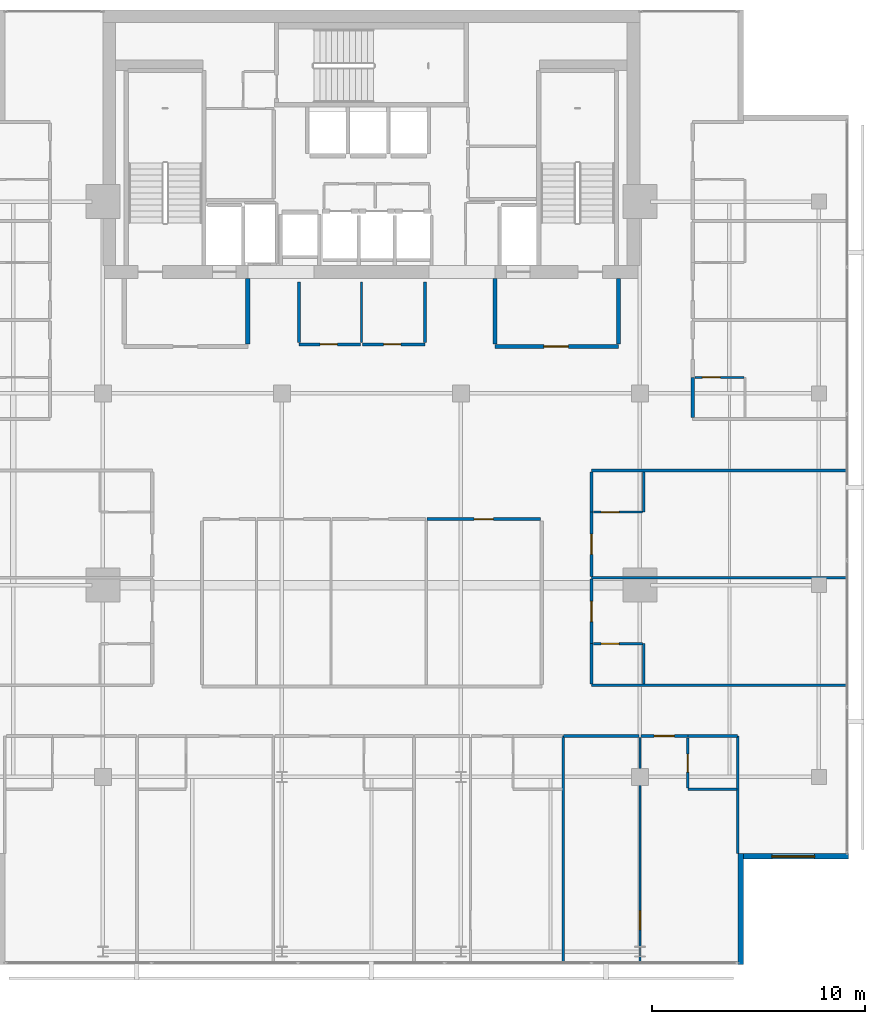
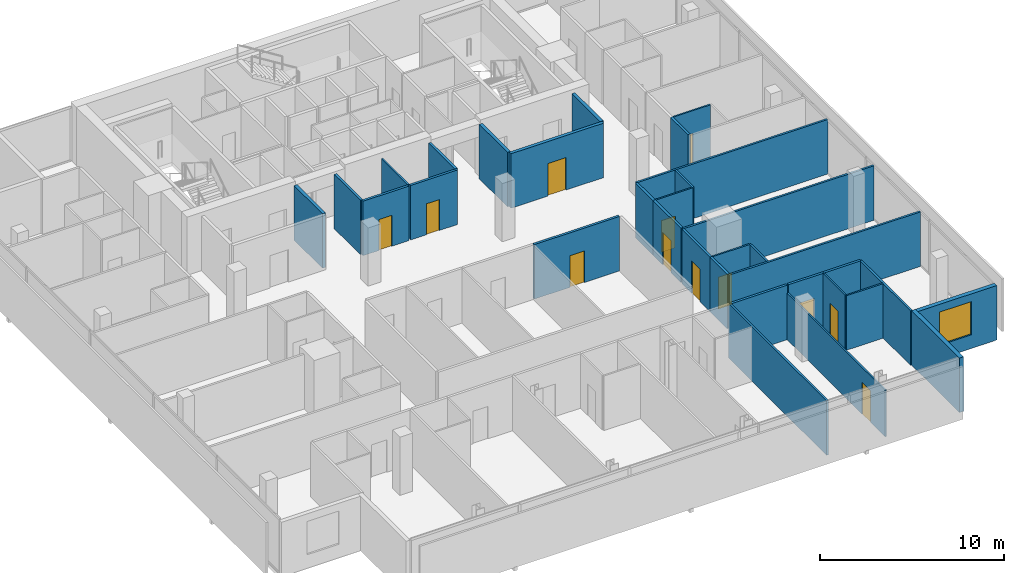
# One storey, part 21 of 26: 33 walls, 12 doors, 1 window, 13 openings.
"""IFC4 building model written with IfcOpenShell, lengths in metres."""

from ifc_helpers import new_model, si_unit, direction, frame, frame_2d, origin, place, context, subcontext, project, spatial, rectangle, extrude, material, layer, layer_set, type_object, element, fill, save


model = new_model("IFC4")

# Units and contexts
model_context = context("Model", 3, precision=1e-05, world=origin(), true_north=direction((0.0, 1.0)))
body_context = subcontext(model_context, "Body", "Model", "MODEL_VIEW")
ifc_project = project(units=[si_unit("LENGTHUNIT", "METRE"), si_unit("AREAUNIT", "SQUARE_METRE"), si_unit("VOLUMEUNIT", "CUBIC_METRE"), si_unit("PLANEANGLEUNIT", "RADIAN"), si_unit("MASSUNIT", "GRAM", prefix="KILO")], contexts=[model_context])

# Site, building, storey
site_placement = place(None, origin())
site = spatial("IfcSite", under=ifc_project, at=site_placement, CompositionType="ELEMENT")
building_placement = place(site_placement, origin())
building = spatial("IfcBuilding", under=site, at=building_placement, Name="Maruvema Waterfront Hotel and Observation Tower", CompositionType="ELEMENT")
storey_placement = place(building_placement, frame((0.0, 0.0, 289.449951171875)))
storey = spatial("IfcBuildingStorey", under=building, at=storey_placement, Name="L71", CompositionType="ELEMENT", Elevation=289.449951171875)

# Wall, opening, door
ifc_material_1 = material(Name="Twin-stud acoustic gypsum drywall", Category="gypsum")
ifc_layer_1 = layer(ifc_material_1, 0.14990234375, Name="Acoustic Corridor and Suite Demising Wall 150 mm")
ifc_layer_set_1 = layer_set([ifc_layer_1], Name="Twin-stud acoustic gypsum drywall")
wall_type_1 = type_object("IfcWallType", Name="Acoustic Corridor and Suite Demising Wall 150 mm", PredefinedType="PARTITIONING", material=ifc_layer_set_1)
wall_1_placement = place(storey_placement, frame((34.39990234375, 38.300048828125, 0.0), z_axis=(0.0, 0.0, 1.0), x_axis=(1.0, 0.0, 0.0)))
wall_1 = element("IfcWall", 1, at=wall_1_placement, inside=storey, type_object=wall_type_1, Name="L71 Core Apron K2A South 026", PredefinedType="PARTITIONING", context=body_context, shape_type="SweptSolid", body=[
    extrude(rectangle(XDim=2.880126953125, YDim=0.14990234375, at=frame_2d((1.43994140625, 0.0))), origin(), (0.0, 0.0, 1.0), 3.610107421875),
])
opening_1_placement = place(wall_1_placement, frame((1.0, 0.0, 0.0)))
opening_1 = element("IfcOpeningElement", 2, at=opening_1_placement, cuts=wall_1, Name="Opening DR-080", PredefinedType="OPENING", context=body_context, shape_type="SweptSolid", body=[
    extrude(rectangle(XDim=0.800048828125, YDim=2.050048828125, at=frame_2d((0.39990234375, 1.02490234375))), frame((0.0, 0.0849609375, 0.0), z_axis=(0.0, -1.0, 0.0), x_axis=(1.0, 0.0, 0.0)), (0.0, 0.0, 1.0), 0.169921875),
])
ifc_material_2 = material(Name="Powder-coated steel access leaf", Category="steel")
door_type_1 = type_object("IfcDoorType", Name="Riser and Service Cupboard Door 800x2050 mm", OperationType="NOTDEFINED", PredefinedType="DOOR", material=ifc_material_2)
door_1_placement = place(opening_1_placement, frame((0.800048828125, 0.0, 0.0), z_axis=(0.0, 0.0, 1.0), x_axis=(-1.0, 0.0, 0.0)))
door_1 = element("IfcDoor", 3, at=door_1_placement, inside=storey, type_object=door_type_1, Name="L71 Core Ice Alcove Door", OperationType="SINGLE_SWING_RIGHT", OverallHeight=2.050048828125, OverallWidth=0.800048828125, PredefinedType="DOOR", context=body_context, shape_type="SweptSolid", body=[
    extrude(rectangle(XDim=0.800048828125, YDim=2.050048828125, at=frame_2d((0.39990234375, 1.02490234375))), frame((0.0, 0.02490234375, 0.0), z_axis=(0.0, -1.0, 0.0), x_axis=(1.0, 0.0, 0.0)), (0.0, 0.0, 1.0), 0.050048828125),
])
fill(opening_1, door_1)

wall_2_placement = place(storey_placement, frame((37.3798828125, 38.300048828125, 0.0), z_axis=(0.0, 0.0, 1.0), x_axis=(1.0, 0.0, 0.0)))
wall_2 = element("IfcWall", 4, at=wall_2_placement, inside=storey, type_object=wall_type_1, Name="L71 Core Apron K2B South 027", PredefinedType="PARTITIONING", context=body_context, shape_type="SweptSolid", body=[
    extrude(rectangle(XDim=2.940185546875, YDim=0.14990234375, at=frame_2d((1.47021484375, 0.0))), origin(), (0.0, 0.0, 1.0), 3.610107421875),
])
opening_2_placement = place(wall_2_placement, frame((1.0, 0.0, 0.0)))
opening_2 = element("IfcOpeningElement", 5, at=opening_2_placement, cuts=wall_2, Name="Opening DR-080", PredefinedType="OPENING", context=body_context, shape_type="SweptSolid", body=[
    extrude(rectangle(XDim=0.800048828125, YDim=2.050048828125, at=frame_2d((0.39990234375, 1.02490234375))), frame((0.0, 0.0849609375, 0.0), z_axis=(0.0, -1.0, 0.0), x_axis=(1.0, 0.0, 0.0)), (0.0, 0.0, 1.0), 0.169921875),
])
door_2_placement = place(opening_2_placement, frame((0.800048828125, 0.0, 0.0), z_axis=(0.0, 0.0, 1.0), x_axis=(-1.0, 0.0, 0.0)))
door_2 = element("IfcDoor", 6, at=door_2_placement, inside=storey, type_object=door_type_1, Name="L71 Core Valet Closet Door", OperationType="SINGLE_SWING_LEFT", OverallHeight=2.050048828125, OverallWidth=0.800048828125, PredefinedType="DOOR", context=body_context, shape_type="SweptSolid", body=[
    extrude(rectangle(XDim=0.800048828125, YDim=2.050048828125, at=frame_2d((0.39990234375, 1.02490234375))), frame((0.0, 0.02490234375, 0.0), z_axis=(0.0, -1.0, 0.0), x_axis=(1.0, 0.0, 0.0)), (0.0, 0.0, 1.0), 0.050048828125),
])
fill(opening_2, door_2)

# Walls
for number, where, z_axis, x_axis, name in (
    (7, (34.39990234375, 38.3798828125, 0.0), (0.0, 0.0, 1.0), (0.0, 1.0, 0.0), "L71 Core Apron K2 West 028"),
    (8, (40.320068359375, 38.3798828125, 0.0), (0.0, 0.0, 1.0), (0.0, 1.0, 0.0), "L71 Core Apron K2 East 030"),
):
    element("IfcWall", number, at=place(storey_placement, frame(where, z_axis=z_axis, x_axis=x_axis)), inside=storey, type_object=wall_type_1, Name=name, PredefinedType="PARTITIONING", context=body_context, shape_type="SweptSolid", body=[
        extrude(rectangle(XDim=2.840087890625, YDim=0.14990234375, at=frame_2d((1.419921875, 0.0))), origin(), (0.0, 0.0, 1.0), 3.610107421875),
    ])

# Wall, opening, door
wall_3_placement = place(storey_placement, frame((40.406982421875, 30.10009765625, 0.0), z_axis=(0.0, 0.0, 1.0), x_axis=(1.0, 0.0, 0.0)))
wall_3 = element("IfcWall", 9, at=wall_3_placement, inside=storey, type_object=wall_type_1, Name="L71 L71-Z3M Front 4 040", PredefinedType="PARTITIONING", context=body_context, shape_type="SweptSolid", body=[
    extrude(rectangle(XDim=5.3330078125, YDim=0.14990234375, at=frame_2d((2.66650390625, 0.0))), origin(), (0.0, 0.0, 1.0), 3.610107421875),
])
opening_3_placement = place(wall_3_placement, frame((2.216552734375, 0.0, 0.0)))
opening_3 = element("IfcOpeningElement", 10, at=opening_3_placement, cuts=wall_3, Name="Opening DR-090", PredefinedType="OPENING", context=body_context, shape_type="SweptSolid", body=[
    extrude(rectangle(XDim=0.89990234375, YDim=2.10009765625, at=frame_2d((0.449951171875, 1.050048828125))), frame((0.0, 0.0849609375, 0.0), z_axis=(0.0, -1.0, 0.0), x_axis=(1.0, 0.0, 0.0)), (0.0, 0.0, 1.0), 0.169921875),
])
ifc_material_3 = material(Name="Solid-core lacquered timber leaf", Category="wood")
door_type_2 = type_object("IfcDoorType", Name="Accessible Toilet and Room Door 900x2100 mm", OperationType="NOTDEFINED", PredefinedType="DOOR", material=ifc_material_3)
door_3_placement = place(opening_3_placement, origin())
door_3 = element("IfcDoor", 11, at=door_3_placement, inside=storey, type_object=door_type_2, Name="L71 Refreshment Kitchen Door", OperationType="SINGLE_SWING_LEFT", OverallHeight=2.10009765625, OverallWidth=0.89990234375, PredefinedType="DOOR", context=body_context, shape_type="SweptSolid", body=[
    extrude(rectangle(XDim=0.89990234375, YDim=2.10009765625, at=frame_2d((0.449951171875, 1.050048828125))), frame((0.0, 0.02490234375, 0.0), z_axis=(0.0, -1.0, 0.0), x_axis=(1.0, 0.0, 0.0)), (0.0, 0.0, 1.0), 0.050048828125),
])
fill(opening_3, door_3)

# Walls
wall_4_placement = place(storey_placement, frame((52.64990234375, 19.919921875, 0.0), z_axis=(0.0, 0.0, 1.0), x_axis=(1.0, 0.0, 0.0)))
element("IfcWall", 12, at=wall_4_placement, inside=storey, type_object=wall_type_1, Name="L71 Bath L71-S5 Back Wall 065", PredefinedType="PARTITIONING", context=body_context, shape_type="SweptSolid", body=[
    extrude(rectangle(XDim=2.330078125, YDim=0.14990234375, at=frame_2d((1.1650390625, 0.0))), origin(), (0.0, 0.0, 1.0), 3.610107421875),
])
wall_5_placement = place(storey_placement, frame((46.820068359375, 19.919921875, 0.0), z_axis=(0.0, 0.0, 1.0), x_axis=(1.0, 0.0, 0.0)))
element("IfcWall", 13, at=wall_5_placement, inside=storey, type_object=wall_type_1, Name="L71 Bedroom L71-S5 Back Wall 068", PredefinedType="PARTITIONING", context=body_context, shape_type="SweptSolid", body=[
    extrude(rectangle(XDim=3.5478515625, YDim=0.14990234375, at=frame_2d((1.77392578125, 0.0))), origin(), (0.0, 0.0, 1.0), 3.610107421875),
])

# Wall, opening, door
wall_6_placement = place(storey_placement, frame((50.447998046875, 19.919921875, 0.0), z_axis=(0.0, 0.0, 1.0), x_axis=(1.0, 0.0, 0.0)))
wall_6 = element("IfcWall", 14, at=wall_6_placement, inside=storey, type_object=wall_type_1, Name="L71 Unit L71-S5 Corridor Wall 069", PredefinedType="PARTITIONING", context=body_context, shape_type="SweptSolid", body=[
    extrude(rectangle(XDim=2.201904296875, YDim=0.14990234375, at=frame_2d((1.10107421875, 0.0))), origin(), (0.0, 0.0, 1.0), 3.610107421875),
])
opening_4_placement = place(wall_6_placement, frame((0.6259765625, 0.0, 0.0)))
opening_4 = element("IfcOpeningElement", 15, at=opening_4_placement, cuts=wall_6, Name="Opening DR-095", PredefinedType="OPENING", context=body_context, shape_type="SweptSolid", body=[
    extrude(rectangle(XDim=0.949951171875, YDim=2.14990234375, at=frame_2d((0.47509765625, 1.074951171875))), frame((0.0, 0.0849609375, 0.0), z_axis=(0.0, -1.0, 0.0), x_axis=(1.0, 0.0, 0.0)), (0.0, 0.0, 1.0), 0.169921875),
])
ifc_material_4 = material(Name="Acoustic solid-core hardwood timber leaf", Category="wood")
door_type_3 = type_object("IfcDoorType", Name="Guestroom Entrance Fire Door 950x2150 mm", OperationType="NOTDEFINED", PredefinedType="DOOR", material=ifc_material_4)
door_4_placement = place(opening_4_placement, frame((0.949951171875, 0.0, 0.0), z_axis=(0.0, 0.0, 1.0), x_axis=(-1.0, 0.0, 0.0)))
door_4 = element("IfcDoor", 16, at=door_4_placement, inside=storey, type_object=door_type_3, Name="L71 Unit L71-S5 Entrance Door", OperationType="SINGLE_SWING_RIGHT", OverallHeight=2.14990234375, OverallWidth=0.949951171875, PredefinedType="DOOR", context=body_context, shape_type="SweptSolid", body=[
    extrude(rectangle(XDim=0.949951171875, YDim=2.14990234375, at=frame_2d((0.47509765625, 1.074951171875))), frame((0.0, 0.02490234375, 0.0), z_axis=(0.0, -1.0, 0.0), x_axis=(1.0, 0.0, 0.0)), (0.0, 0.0, 1.0), 0.050048828125),
])
fill(opening_4, door_4)

# Wall
wall_7_placement = place(storey_placement, frame((48.1298828125, 22.360107421875, 0.0), z_axis=(0.0, 0.0, 1.0), x_axis=(0.0, 1.0, 0.0)))
element("IfcWall", 17, at=wall_7_placement, inside=storey, type_object=wall_type_1, Name="L71 Bath L71-E1 Wall 079", PredefinedType="PARTITIONING", context=body_context, shape_type="SweptSolid", body=[
    extrude(rectangle(XDim=1.889892578125, YDim=0.14990234375, at=frame_2d((0.94482421875, 0.0))), origin(), (0.0, 0.0, 1.0), 3.610107421875),
])

# Wall, opening, door
wall_8_placement = place(storey_placement, frame((48.1298828125, 24.25, 0.0), z_axis=(0.0, 0.0, 1.0), x_axis=(0.0, 1.0, 0.0)))
wall_8 = element("IfcWall", 18, at=wall_8_placement, inside=storey, type_object=wall_type_1, Name="L71 Room L71-E1 Corridor Wall 080", PredefinedType="PARTITIONING", context=body_context, shape_type="SweptSolid", body=[
    extrude(rectangle(XDim=3.030029296875, YDim=0.14990234375, at=frame_2d((1.51513671875, 0.0))), origin(), (0.0, 0.0, 1.0), 3.610107421875),
])
opening_5_placement = place(wall_8_placement, frame((1.0400390625, 0.0, 0.0)))
opening_5 = element("IfcOpeningElement", 19, at=opening_5_placement, cuts=wall_8, Name="Opening DR-095", PredefinedType="OPENING", context=body_context, shape_type="SweptSolid", body=[
    extrude(rectangle(XDim=0.949951171875, YDim=2.14990234375, at=frame_2d((0.47509765625, 1.074951171875))), frame((0.0, 0.0849609375, 0.0), z_axis=(0.0, -1.0, 0.0), x_axis=(1.0, 0.0, 0.0)), (0.0, 0.0, 1.0), 0.169921875),
])
door_5_placement = place(opening_5_placement, frame((0.949951171875, 0.0, 0.0), z_axis=(0.0, 0.0, 1.0), x_axis=(-1.0, 0.0, 0.0)))
door_5 = element("IfcDoor", 20, at=door_5_placement, inside=storey, type_object=door_type_3, Name="L71 Room L71-E1 Entrance Door", OperationType="SINGLE_SWING_LEFT", OverallHeight=2.14990234375, OverallWidth=0.949951171875, PredefinedType="DOOR", context=body_context, shape_type="SweptSolid", body=[
    extrude(rectangle(XDim=0.949951171875, YDim=2.14990234375, at=frame_2d((0.47509765625, 1.074951171875))), frame((0.0, 0.02490234375, 0.0), z_axis=(0.0, -1.0, 0.0), x_axis=(1.0, 0.0, 0.0)), (0.0, 0.0, 1.0), 0.050048828125),
])
fill(opening_5, door_5)

wall_9_placement = place(storey_placement, frame((48.1298828125, 27.39990234375, 0.0), z_axis=(0.0, 0.0, 1.0), x_axis=(0.0, 1.0, 0.0)))
wall_9 = element("IfcWall", 21, at=wall_9_placement, inside=storey, type_object=wall_type_1, Name="L71 Room L71-E2 Corridor Wall 089", PredefinedType="PARTITIONING", context=body_context, shape_type="SweptSolid", body=[
    extrude(rectangle(XDim=3.030029296875, YDim=0.14990234375, at=frame_2d((1.51513671875, 0.0))), origin(), (0.0, 0.0, 1.0), 3.610107421875),
])
opening_6_placement = place(wall_9_placement, frame((1.0400390625, 0.0, 0.0)))
opening_6 = element("IfcOpeningElement", 22, at=opening_6_placement, cuts=wall_9, Name="Opening DR-095", PredefinedType="OPENING", context=body_context, shape_type="SweptSolid", body=[
    extrude(rectangle(XDim=0.949951171875, YDim=2.14990234375, at=frame_2d((0.47509765625, 1.074951171875))), frame((0.0, 0.0849609375, 0.0), z_axis=(0.0, -1.0, 0.0), x_axis=(1.0, 0.0, 0.0)), (0.0, 0.0, 1.0), 0.169921875),
])
door_6_placement = place(opening_6_placement, frame((0.949951171875, 0.0, 0.0), z_axis=(0.0, 0.0, 1.0), x_axis=(-1.0, 0.0, 0.0)))
door_6 = element("IfcDoor", 23, at=door_6_placement, inside=storey, type_object=door_type_3, Name="L71 Room L71-E2 Entrance Door", OperationType="SINGLE_SWING_LEFT", OverallHeight=2.14990234375, OverallWidth=0.949951171875, PredefinedType="DOOR", context=body_context, shape_type="SweptSolid", body=[
    extrude(rectangle(XDim=0.949951171875, YDim=2.14990234375, at=frame_2d((0.47509765625, 1.074951171875))), frame((0.0, 0.02490234375, 0.0), z_axis=(0.0, -1.0, 0.0), x_axis=(1.0, 0.0, 0.0)), (0.0, 0.0, 1.0), 0.050048828125),
])
fill(opening_6, door_6)

# Walls
wall_10_placement = place(storey_placement, frame((48.1298828125, 30.429931640625, 0.0), z_axis=(0.0, 0.0, 1.0), x_axis=(0.0, 1.0, 0.0)))
element("IfcWall", 24, at=wall_10_placement, inside=storey, type_object=wall_type_1, Name="L71 Bath L71-E2 Wall 090", PredefinedType="PARTITIONING", context=body_context, shape_type="SweptSolid", body=[
    extrude(rectangle(XDim=1.89013671875, YDim=0.14990234375, at=frame_2d((0.945068359375, 0.0))), origin(), (0.0, 0.0, 1.0), 3.610107421875),
])
wall_11_placement = place(storey_placement, frame((52.8798828125, 34.860107421875, 0.0), z_axis=(0.0, 0.0, 1.0), x_axis=(0.0, 1.0, 0.0)))
element("IfcWall", 25, at=wall_11_placement, inside=storey, type_object=wall_type_1, Name="L71 Bath L71-NE1 Wall 101", PredefinedType="PARTITIONING", context=body_context, shape_type="SweptSolid", body=[
    extrude(rectangle(XDim=1.889892578125, YDim=0.14990234375, at=frame_2d((0.94482421875, 0.0))), origin(), (0.0, 0.0, 1.0), 3.610107421875),
])
ifc_material_5 = material(Name="Moisture-resistant cement-board drywall", Category="gypsum")
ifc_layer_2 = layer(ifc_material_5, 0.10009765625, Name="En-Suite Moisture-Resistant Partition 100 mm")
ifc_layer_set_2 = layer_set([ifc_layer_2], Name="Moisture-resistant cement-board drywall")
wall_type_2 = type_object("IfcWallType", Name="En-Suite Moisture-Resistant Partition 100 mm", PredefinedType="PARTITIONING", material=ifc_layer_set_2)
wall_12_placement = place(storey_placement, frame((37.330078125, 38.3798828125, 0.0), z_axis=(0.0, 0.0, 1.0), x_axis=(0.0, 1.0, 0.0)))
element("IfcWall", 26, at=wall_12_placement, inside=storey, type_object=wall_type_2, Name="L71 Core Apron K2 Split 029", PredefinedType="PARTITIONING", context=body_context, shape_type="SweptSolid", body=[
    extrude(rectangle(XDim=2.840087890625, YDim=0.10009765625, at=frame_2d((1.419921875, 0.0))), origin(), (0.0, 0.0, 1.0), 3.610107421875),
])
wall_13_placement = place(storey_placement, frame((52.64990234375, 17.419921875, 0.0), z_axis=(0.0, 0.0, 1.0), x_axis=(1.0, 0.0, 0.0)))
element("IfcWall", 27, at=wall_13_placement, inside=storey, type_object=wall_type_2, Name="L71 En-Suite L71-S5 South 066", PredefinedType="PARTITIONING", context=body_context, shape_type="SweptSolid", body=[
    extrude(rectangle(XDim=2.31005859375, YDim=0.10009765625, at=frame_2d((1.155029296875, 0.0))), origin(), (0.0, 0.0, 1.0), 3.610107421875),
])

# Wall, opening, door
wall_14_placement = place(storey_placement, frame((52.64990234375, 17.47998046875, 0.0), z_axis=(0.0, 0.0, 1.0), x_axis=(0.0, 1.0, 0.0)))
wall_14 = element("IfcWall", 28, at=wall_14_placement, inside=storey, type_object=wall_type_2, Name="L71 En-Suite L71-S5 West 067", PredefinedType="PARTITIONING", context=body_context, shape_type="SweptSolid", body=[
    extrude(rectangle(XDim=2.340087890625, YDim=0.10009765625, at=frame_2d((1.169921875, 0.0))), origin(), (0.0, 0.0, 1.0), 3.610107421875),
])
opening_7_placement = place(wall_14_placement, frame((0.7451171875, 0.0, 0.0)))
opening_7 = element("IfcOpeningElement", 29, at=opening_7_placement, cuts=wall_14, Name="Opening DR-085", PredefinedType="OPENING", context=body_context, shape_type="SweptSolid", body=[
    extrude(rectangle(XDim=0.85009765625, YDim=2.10009765625, at=frame_2d((0.425048828125, 1.050048828125))), frame((0.0, 0.06005859375, 0.0), z_axis=(0.0, -1.0, 0.0), x_axis=(1.0, 0.0, 0.0)), (0.0, 0.0, 1.0), 0.1201171875),
])
ifc_material_6 = material(Name="Moisture-resistant solid timber leaf", Category="wood")
door_type_4 = type_object("IfcDoorType", Name="En-Suite Bathroom Door 850x2100 mm", OperationType="NOTDEFINED", PredefinedType="DOOR", material=ifc_material_6)
door_7_placement = place(opening_7_placement, origin())
door_7 = element("IfcDoor", 30, at=door_7_placement, inside=storey, type_object=door_type_4, Name="L71 En-Suite L71-S5 Door", OperationType="SINGLE_SWING_LEFT", OverallHeight=2.10009765625, OverallWidth=0.85009765625, PredefinedType="DOOR", context=body_context, shape_type="SweptSolid", body=[
    extrude(rectangle(XDim=0.85009765625, YDim=2.10009765625, at=frame_2d((0.425048828125, 1.050048828125))), frame((0.0, 0.02490234375, 0.0), z_axis=(0.0, -1.0, 0.0), x_axis=(1.0, 0.0, 0.0)), (0.0, 0.0, 1.0), 0.050048828125),
])
fill(opening_7, door_7)

wall_15_placement = place(storey_placement, frame((50.407958984375, 9.22998046875, 0.0), z_axis=(0.0, 0.0, 1.0), x_axis=(0.0, 1.0, 0.0)))
wall_15 = element("IfcWall", 31, at=wall_15_placement, inside=storey, type_object=wall_type_2, Name="L71 Suite L71-S5 Split 070", PredefinedType="PARTITIONING", context=body_context, shape_type="SweptSolid", body=[
    extrude(rectangle(XDim=10.630126953125, YDim=0.10009765625, at=frame_2d((5.31494140625, 0.0))), origin(), (0.0, 0.0, 1.0), 3.0810546875),
])
opening_8_placement = place(wall_15_placement, frame((1.60009765625, 0.0, 0.0)))
opening_8 = element("IfcOpeningElement", 32, at=opening_8_placement, cuts=wall_15, Name="Opening DR-090", PredefinedType="OPENING", context=body_context, shape_type="SweptSolid", body=[
    extrude(rectangle(XDim=0.89990234375, YDim=2.10009765625, at=frame_2d((0.449951171875, 1.050048828125))), frame((0.0, 0.06005859375, 0.0), z_axis=(0.0, -1.0, 0.0), x_axis=(1.0, 0.0, 0.0)), (0.0, 0.0, 1.0), 0.1201171875),
])
door_8_placement = place(opening_8_placement, frame((0.89990234375, 0.0, 0.0), z_axis=(0.0, 0.0, 1.0), x_axis=(-1.0, 0.0, 0.0)))
door_8 = element("IfcDoor", 33, at=door_8_placement, inside=storey, type_object=door_type_2, Name="L71 Suite L71-S5 Bedroom Door", OperationType="SINGLE_SWING_LEFT", OverallHeight=2.10009765625, OverallWidth=0.89990234375, PredefinedType="DOOR", context=body_context, shape_type="SweptSolid", body=[
    extrude(rectangle(XDim=0.89990234375, YDim=2.10009765625, at=frame_2d((0.449951171875, 1.050048828125))), frame((0.0, 0.02490234375, 0.0), z_axis=(0.0, -1.0, 0.0), x_axis=(1.0, 0.0, 0.0)), (0.0, 0.0, 1.0), 0.050048828125),
])
fill(opening_8, door_8)

# Wall
wall_16_placement = place(storey_placement, frame((50.580078125, 22.360107421875, 0.0), z_axis=(0.0, 0.0, 1.0), x_axis=(0.0, 1.0, 0.0)))
element("IfcWall", 34, at=wall_16_placement, inside=storey, type_object=wall_type_2, Name="L71 En-Suite L71-E1 E 081", PredefinedType="PARTITIONING", context=body_context, shape_type="SweptSolid", body=[
    extrude(rectangle(XDim=1.889892578125, YDim=0.10009765625, at=frame_2d((0.94482421875, 0.0))), origin(), (0.0, 0.0, 1.0), 3.610107421875),
])

# Wall, opening, door
wall_17_placement = place(storey_placement, frame((48.22998046875, 24.25, 0.0), z_axis=(0.0, 0.0, 1.0), x_axis=(1.0, 0.0, 0.0)))
wall_17 = element("IfcWall", 35, at=wall_17_placement, inside=storey, type_object=wall_type_2, Name="L71 En-Suite L71-E1 N 082", PredefinedType="PARTITIONING", context=body_context, shape_type="SweptSolid", body=[
    extrude(rectangle(XDim=2.300048828125, YDim=0.10009765625, at=frame_2d((1.14990234375, 0.0))), origin(), (0.0, 0.0, 1.0), 3.610107421875),
])
opening_9_placement = place(wall_17_placement, frame((0.35009765625, 0.0, 0.0)))
opening_9 = element("IfcOpeningElement", 36, at=opening_9_placement, cuts=wall_17, Name="Opening DR-085", PredefinedType="OPENING", context=body_context, shape_type="SweptSolid", body=[
    extrude(rectangle(XDim=0.85009765625, YDim=2.10009765625, at=frame_2d((0.425048828125, 1.050048828125))), frame((0.0, 0.06005859375, 0.0), z_axis=(0.0, -1.0, 0.0), x_axis=(1.0, 0.0, 0.0)), (0.0, 0.0, 1.0), 0.1201171875),
])
door_9_placement = place(opening_9_placement, origin())
door_9 = element("IfcDoor", 37, at=door_9_placement, inside=storey, type_object=door_type_4, Name="L71 En-Suite L71-E1 Door", OperationType="SINGLE_SWING_RIGHT", OverallHeight=2.10009765625, OverallWidth=0.85009765625, PredefinedType="DOOR", context=body_context, shape_type="SweptSolid", body=[
    extrude(rectangle(XDim=0.85009765625, YDim=2.10009765625, at=frame_2d((0.425048828125, 1.050048828125))), frame((0.0, 0.02490234375, 0.0), z_axis=(0.0, -1.0, 0.0), x_axis=(1.0, 0.0, 0.0)), (0.0, 0.0, 1.0), 0.050048828125),
])
fill(opening_9, door_9)

# Wall
wall_18_placement = place(storey_placement, frame((50.580078125, 30.429931640625, 0.0), z_axis=(0.0, 0.0, 1.0), x_axis=(0.0, 1.0, 0.0)))
element("IfcWall", 38, at=wall_18_placement, inside=storey, type_object=wall_type_2, Name="L71 En-Suite L71-E2 E 091", PredefinedType="PARTITIONING", context=body_context, shape_type="SweptSolid", body=[
    extrude(rectangle(XDim=1.89013671875, YDim=0.10009765625, at=frame_2d((0.945068359375, 0.0))), origin(), (0.0, 0.0, 1.0), 3.610107421875),
])

# Wall, opening, door
wall_19_placement = place(storey_placement, frame((48.22998046875, 30.429931640625, 0.0), z_axis=(0.0, 0.0, 1.0), x_axis=(1.0, 0.0, 0.0)))
wall_19 = element("IfcWall", 39, at=wall_19_placement, inside=storey, type_object=wall_type_2, Name="L71 En-Suite L71-E2 S 092", PredefinedType="PARTITIONING", context=body_context, shape_type="SweptSolid", body=[
    extrude(rectangle(XDim=2.300048828125, YDim=0.10009765625, at=frame_2d((1.14990234375, 0.0))), origin(), (0.0, 0.0, 1.0), 3.610107421875),
])
opening_10_placement = place(wall_19_placement, frame((0.35009765625, 0.0, 0.0)))
opening_10 = element("IfcOpeningElement", 40, at=opening_10_placement, cuts=wall_19, Name="Opening DR-085", PredefinedType="OPENING", context=body_context, shape_type="SweptSolid", body=[
    extrude(rectangle(XDim=0.85009765625, YDim=2.10009765625, at=frame_2d((0.425048828125, 1.050048828125))), frame((0.0, 0.06005859375, 0.0), z_axis=(0.0, -1.0, 0.0), x_axis=(1.0, 0.0, 0.0)), (0.0, 0.0, 1.0), 0.1201171875),
])
door_10_placement = place(opening_10_placement, frame((0.85009765625, 0.0, 0.0), z_axis=(0.0, 0.0, 1.0), x_axis=(-1.0, 0.0, 0.0)))
door_10 = element("IfcDoor", 41, at=door_10_placement, inside=storey, type_object=door_type_4, Name="L71 En-Suite L71-E2 Door", OperationType="SINGLE_SWING_RIGHT", OverallHeight=2.10009765625, OverallWidth=0.85009765625, PredefinedType="DOOR", context=body_context, shape_type="SweptSolid", body=[
    extrude(rectangle(XDim=0.85009765625, YDim=2.10009765625, at=frame_2d((0.425048828125, 1.050048828125))), frame((0.0, 0.02490234375, 0.0), z_axis=(0.0, -1.0, 0.0), x_axis=(1.0, 0.0, 0.0)), (0.0, 0.0, 1.0), 0.050048828125),
])
fill(opening_10, door_10)

wall_20_placement = place(storey_placement, frame((52.97998046875, 36.75, 0.0), z_axis=(0.0, 0.0, 1.0), x_axis=(1.0, 0.0, 0.0)))
wall_20 = element("IfcWall", 42, at=wall_20_placement, inside=storey, type_object=wall_type_2, Name="L71 En-Suite L71-NE1 N 104", PredefinedType="PARTITIONING", context=body_context, shape_type="SweptSolid", body=[
    extrude(rectangle(XDim=2.300048828125, YDim=0.10009765625, at=frame_2d((1.14990234375, 0.0))), origin(), (0.0, 0.0, 1.0), 3.610107421875),
])
opening_11_placement = place(wall_20_placement, frame((0.35009765625, 0.0, 0.0)))
opening_11 = element("IfcOpeningElement", 43, at=opening_11_placement, cuts=wall_20, Name="Opening DR-085", PredefinedType="OPENING", context=body_context, shape_type="SweptSolid", body=[
    extrude(rectangle(XDim=0.85009765625, YDim=2.10009765625, at=frame_2d((0.425048828125, 1.050048828125))), frame((0.0, 0.06005859375, 0.0), z_axis=(0.0, -1.0, 0.0), x_axis=(1.0, 0.0, 0.0)), (0.0, 0.0, 1.0), 0.1201171875),
])
door_11_placement = place(opening_11_placement, origin())
door_11 = element("IfcDoor", 44, at=door_11_placement, inside=storey, type_object=door_type_4, Name="L71 En-Suite L71-NE1 Door", OperationType="SINGLE_SWING_RIGHT", OverallHeight=2.10009765625, OverallWidth=0.85009765625, PredefinedType="DOOR", context=body_context, shape_type="SweptSolid", body=[
    extrude(rectangle(XDim=0.85009765625, YDim=2.10009765625, at=frame_2d((0.425048828125, 1.050048828125))), frame((0.0, 0.02490234375, 0.0), z_axis=(0.0, -1.0, 0.0), x_axis=(1.0, 0.0, 0.0)), (0.0, 0.0, 1.0), 0.050048828125),
])
fill(opening_11, door_11)

# Wall
ifc_material_7 = material(Name="Precast concrete C45/55 with honed Pernambuco granite facing", Category="masonry")
ifc_layer_3 = layer(ifc_material_7, 0.260009765625, Name="Exterior Granite Clad Spandrel and Pier Wall 260 mm")
ifc_layer_set_3 = layer_set([ifc_layer_3], Name="Precast concrete C45/55 with honed Pernambuco granite facing")
wall_type_3 = type_object("IfcWallType", Name="Exterior Granite Clad Spandrel and Pier Wall 260 mm", PredefinedType="SOLIDWALL", material=ifc_layer_set_3)
wall_21_placement = place(storey_placement, frame((55.1298828125, 14.39990234375, 0.0), z_axis=(0.0, 0.0, 1.0), x_axis=(0.0, -1.0, 0.0)))
element("IfcWall", 45, at=wall_21_placement, inside=storey, type_object=wall_type_3, Name="L71 Corner Notch Granite Pier Wall SE1", PredefinedType="SOLIDWALL", context=body_context, shape_type="SweptSolid", body=[
    extrude(rectangle(XDim=5.199951171875, YDim=0.260009765625, at=frame_2d((2.60009765625, 0.0))), origin(), (0.0, 0.0, 1.0), 3.610107421875),
])

# Wall, opening, window
wall_22_placement = place(storey_placement, frame((60.199951171875, 14.27001953125, 0.0), z_axis=(0.0, 0.0, 1.0), x_axis=(-1.0, 0.0, 0.0)))
wall_22 = element("IfcWall", 46, at=wall_22_placement, inside=storey, type_object=wall_type_3, Name="L71 Corner Notch Granite Pier Wall SE2", PredefinedType="SOLIDWALL", context=body_context, shape_type="SweptSolid", body=[
    extrude(rectangle(XDim=5.199951171875, YDim=0.260009765625, at=frame_2d((2.60009765625, 0.0))), origin(), (0.0, 0.0, 1.0), 3.610107421875),
])
opening_12_placement = place(wall_22_placement, frame((1.60009765625, 0.0, 0.89990234375)))
opening_12 = element("IfcOpeningElement", 47, at=opening_12_placement, cuts=wall_22, Name="Opening WN-03", PredefinedType="OPENING", context=body_context, shape_type="SweptSolid", body=[
    extrude(rectangle(XDim=2.0, YDim=2.199951171875, at=frame_2d((1.0, 1.10009765625))), frame((0.0, 0.14013671875, 0.0), z_axis=(0.0, -1.0, 0.0), x_axis=(1.0, 0.0, 0.0)), (0.0, 0.0, 1.0), 0.280029296875),
])
ifc_material_8 = material(Name="Anodised bronze aluminium frame with laminated low-E glass", Category="aluminium")
window_type = type_object("IfcWindowType", Name="Sky Suite Panoramic Notch Window 2000x2200 mm", PartitioningType="SINGLE_PANEL", PredefinedType="WINDOW", material=ifc_material_8)
window_placement = place(opening_12_placement, origin())
window = element("IfcWindow", 48, at=window_placement, inside=storey, type_object=window_type, Name="L71 Corner Notch Punched Window SE2", OverallHeight=2.199951171875, OverallWidth=2.0, PartitioningType="SINGLE_PANEL", PredefinedType="WINDOW", context=body_context, shape_type="SweptSolid", body=[
    extrude(rectangle(XDim=2.0, YDim=2.199951171875, at=frame_2d((1.0, 1.10009765625))), frame((0.0, 0.030029296875, 0.0), z_axis=(0.0, -1.0, 0.0), x_axis=(1.0, 0.0, 0.0)), (0.0, 0.0, 1.0), 0.06005859375),
])
fill(opening_12, window)

# Wall
ifc_material_9 = material(Name="Autoclaved cellular concrete blockwork", Category="masonry")
ifc_layer_4 = layer(ifc_material_9, 0.199951171875, Name="Fire Compartment Masonry Wall 200 mm")
ifc_layer_set_4 = layer_set([ifc_layer_4], Name="Autoclaved cellular concrete blockwork")
wall_type_4 = type_object("IfcWallType", Name="Fire Compartment Masonry Wall 200 mm", PredefinedType="PARTITIONING", material=ifc_layer_set_4)
wall_23_placement = place(storey_placement, frame((32.0, 38.31005859375, 0.0), z_axis=(0.0, 0.0, 1.0), x_axis=(0.0, 1.0, 0.0)))
element("IfcWall", 49, at=wall_23_placement, inside=storey, type_object=wall_type_4, Name="L71 FFL West East Wall 003", PredefinedType="PARTITIONING", context=body_context, shape_type="SweptSolid", body=[
    extrude(rectangle(XDim=3.06982421875, YDim=0.199951171875, at=frame_2d((1.534912109375, 0.0))), origin(), (0.0, 0.0, 1.0), 3.610107421875),
])

# Wall, opening, door
wall_24_placement = place(storey_placement, frame((43.60009765625, 38.199951171875, 0.0), z_axis=(0.0, 0.0, 1.0), x_axis=(1.0, 0.0, 0.0)))
wall_24 = element("IfcWall", 50, at=wall_24_placement, inside=storey, type_object=wall_type_4, Name="L71 FFL East South Wall 004", PredefinedType="PARTITIONING", context=body_context, shape_type="SweptSolid", body=[
    extrude(rectangle(XDim=5.7998046875, YDim=0.199951171875, at=frame_2d((2.89990234375, 0.0))), origin(), (0.0, 0.0, 1.0), 3.610107421875),
])
opening_13_placement = place(wall_24_placement, frame((2.300048828125, 0.0, 0.0)))
opening_13 = element("IfcOpeningElement", 51, at=opening_13_placement, cuts=wall_24, Name="Opening FD-115", PredefinedType="OPENING", context=body_context, shape_type="SweptSolid", body=[
    extrude(rectangle(XDim=1.14990234375, YDim=2.14990234375, at=frame_2d((0.574951171875, 1.074951171875))), frame((0.0, 0.10986328125, 0.0), z_axis=(0.0, -1.0, 0.0), x_axis=(1.0, 0.0, 0.0)), (0.0, 0.0, 1.0), 0.219970703125),
])
ifc_material_10 = material(Name="Fire-rated galvanised steel and vision glass", Category="steel")
door_type_5 = type_object("IfcDoorType", Name="Firefighting Lobby Fire Door 1150x2150 mm", OperationType="NOTDEFINED", PredefinedType="DOOR", material=ifc_material_10)
door_12_placement = place(opening_13_placement, frame((1.14990234375, 0.0, 0.0), z_axis=(0.0, 0.0, 1.0), x_axis=(-1.0, 0.0, 0.0)))
door_12 = element("IfcDoor", 52, at=door_12_placement, inside=storey, type_object=door_type_5, Name="L71 Firefighting Lobby East Door", OperationType="SINGLE_SWING_LEFT", OverallHeight=2.14990234375, OverallWidth=1.14990234375, PredefinedType="DOOR", context=body_context, shape_type="SweptSolid", body=[
    extrude(rectangle(XDim=1.14990234375, YDim=2.14990234375, at=frame_2d((0.574951171875, 1.074951171875))), frame((0.0, 0.02490234375, 0.0), z_axis=(0.0, -1.0, 0.0), x_axis=(1.0, 0.0, 0.0)), (0.0, 0.0, 1.0), 0.050048828125),
])
fill(opening_13, door_12)

# Walls
for number, where, z_axis, x_axis, name in (
    (53, (43.60009765625, 38.31005859375, 0.0), (0.0, 0.0, 1.0), (0.0, 1.0, 0.0), "L71 FFL East West Wall 005"),
    (54, (49.39990234375, 38.31005859375, 0.0), (0.0, 0.0, 1.0), (0.0, 1.0, 0.0), "L71 FFL East East Wall 006"),
):
    element("IfcWall", number, at=place(storey_placement, frame(where, z_axis=z_axis, x_axis=x_axis)), inside=storey, type_object=wall_type_4, Name=name, PredefinedType="PARTITIONING", context=body_context, shape_type="SweptSolid", body=[
        extrude(rectangle(XDim=3.06982421875, YDim=0.199951171875, at=frame_2d((1.534912109375, 0.0))), origin(), (0.0, 0.0, 1.0), 3.610107421875),
    ])
ifc_material_11 = material(Name="Acoustic gypsum plasterboard drywall", Category="gypsum")
ifc_layer_5 = layer(ifc_material_11, 0.125, Name="Guestroom Acoustic Demising Wall 125 mm")
ifc_layer_set_5 = layer_set([ifc_layer_5], Name="Acoustic gypsum plasterboard drywall")
wall_type_5 = type_object("IfcWallType", Name="Guestroom Acoustic Demising Wall 125 mm", PredefinedType="PARTITIONING", material=ifc_layer_set_5)
wall_25_placement = place(storey_placement, frame((55.0, 14.39990234375, 0.0), z_axis=(0.0, 0.0, 1.0), x_axis=(0.0, 1.0, 0.0)))
element("IfcWall", 55, at=wall_25_placement, inside=storey, type_object=wall_type_5, Name="L71 Z3 S East End 042", PredefinedType="PARTITIONING", context=body_context, shape_type="SweptSolid", body=[
    extrude(rectangle(XDim=5.52001953125, YDim=0.125, at=frame_2d((2.760009765625, 0.0))), origin(), (0.0, 0.0, 1.0), 3.610107421875),
])
wall_26_placement = place(storey_placement, frame((46.800048828125, 9.300048828125, 0.0), z_axis=(0.0, 0.0, 1.0), x_axis=(0.0, 1.0, 0.0)))
element("IfcWall", 56, at=wall_26_placement, inside=storey, type_object=wall_type_5, Name="L71 Z3 S Demising 5 064", PredefinedType="PARTITIONING", context=body_context, shape_type="SweptSolid", body=[
    extrude(rectangle(XDim=10.619873046875, YDim=0.125, at=frame_2d((5.31005859375, 0.0))), origin(), (0.0, 0.0, 1.0), 3.610107421875),
])
for number, where, z_axis, x_axis, name in (
    (57, (48.1298828125, 22.300048828125, 0.0), (0.0, 0.0, 1.0), (1.0, 0.0, 0.0), "L71 Z3 E Bot End 072"),
    (58, (48.1298828125, 32.3798828125, 0.0), (0.0, 0.0, 1.0), (1.0, 0.0, 0.0), "L71 Z3 E Top End 074"),
    (59, (48.1298828125, 27.340087890625, 0.0), (0.0, 0.0, 1.0), (1.0, 0.0, 0.0), "L71 Z3 E Demising 2 084"),
):
    element("IfcWall", number, at=place(storey_placement, frame(where, z_axis=z_axis, x_axis=x_axis)), inside=storey, type_object=wall_type_5, Name=name, PredefinedType="PARTITIONING", context=body_context, shape_type="SweptSolid", body=[
        extrude(rectangle(XDim=11.97021484375, YDim=0.125, at=frame_2d((5.985107421875, 0.0))), origin(), (0.0, 0.0, 1.0), 3.610107421875),
    ])

save(model, "model.ifc")
